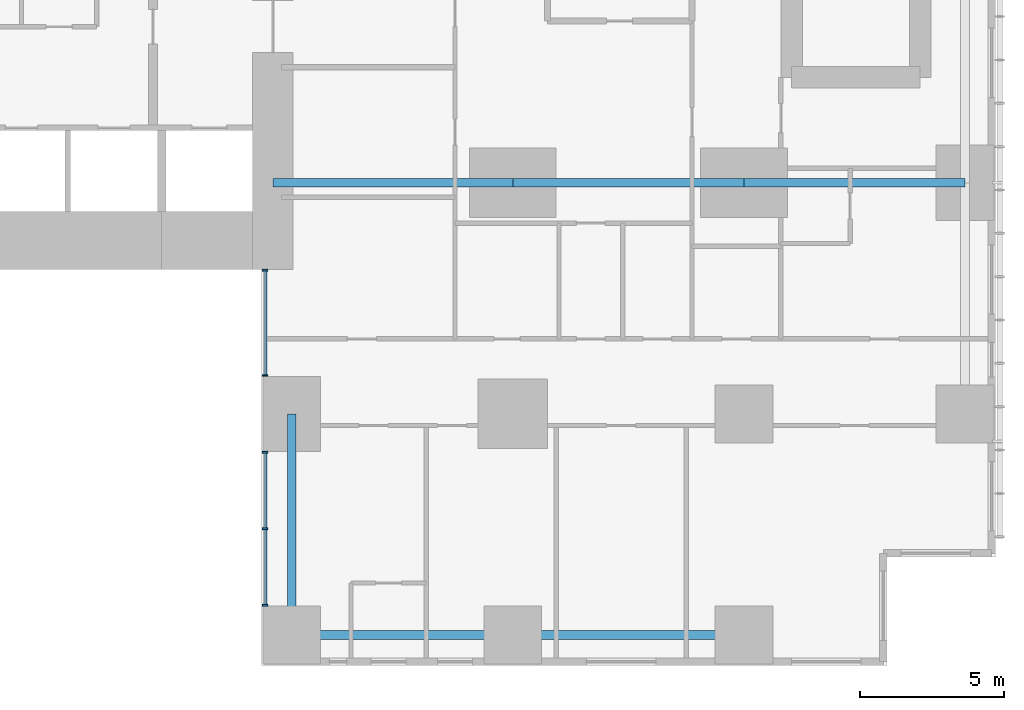
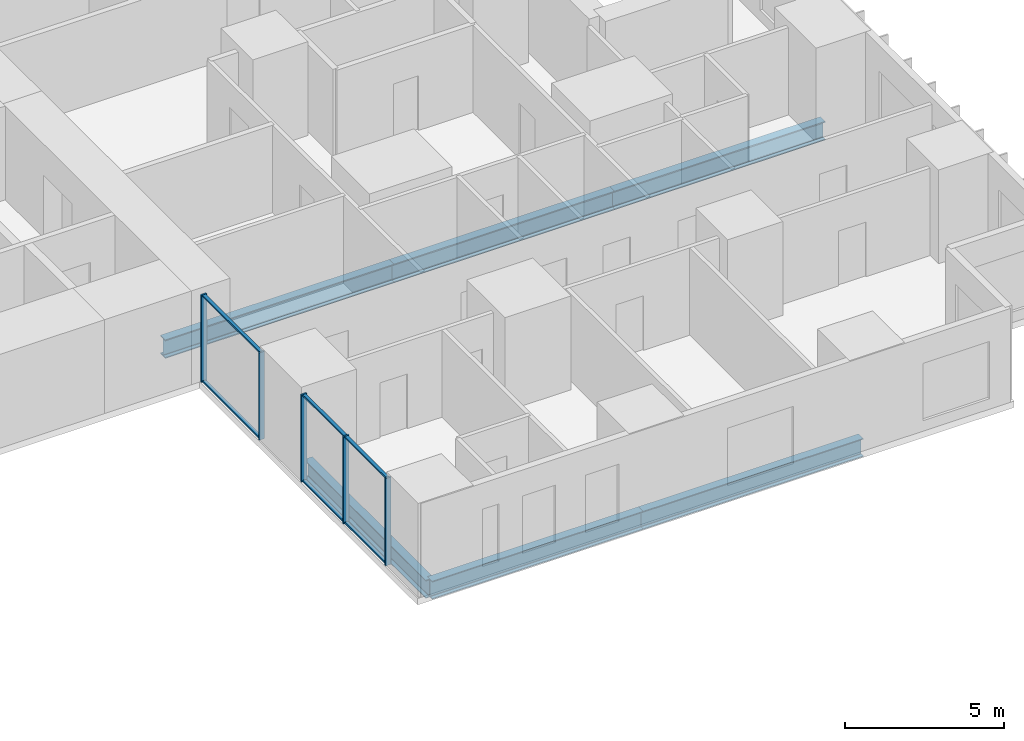
# One storey, part 3 of 20: 11 members, 6 beams, 2 elements without a shape of their own.
"""IFC4 building model written with IfcOpenShell, lengths in metres."""

from ifc_helpers import new_model, si_unit, direction, frame, origin, origin_2d, place, context, subcontext, project, spatial, rectangle, i_section, extrude, material, layer, layer_set, material_profile, profile_set, type_object, element, aggregate, save


model = new_model("IFC4")

# Units and contexts
model_context = context("Model", 3, precision=1e-05, world=origin(), true_north=direction((0.0, 1.0)))
body_context = subcontext(model_context, "Body", "Model", "MODEL_VIEW")
ifc_project = project(units=[si_unit("LENGTHUNIT", "METRE"), si_unit("AREAUNIT", "SQUARE_METRE"), si_unit("VOLUMEUNIT", "CUBIC_METRE"), si_unit("PLANEANGLEUNIT", "RADIAN"), si_unit("MASSUNIT", "GRAM", prefix="KILO")], contexts=[model_context])

# Site, building, storey
site_placement = place(None, origin())
site = spatial("IfcSite", under=ifc_project, at=site_placement, CompositionType="ELEMENT")
building_placement = place(site_placement, origin())
building = spatial("IfcBuilding", under=site, at=building_placement, Name="Cleftline Residences", CompositionType="ELEMENT")
storey_placement = place(building_placement, frame((0.0, 0.0, 103.39990234375)))
storey = spatial("IfcBuildingStorey", under=building, at=storey_placement, Name="L26", CompositionType="ELEMENT", Elevation=103.39990234375)

# Beams
ifc_material_1 = material(Name="Steel S355", Category="steel")
ifc_material_profile_1 = material_profile(ifc_material_1, i_section(OverallWidth=0.300048828125, OverallDepth=0.699951171875, WebThickness=0.01708984375, FlangeThickness=0.031982421875, FilletRadius=0.027099609375, at=origin_2d()))
ifc_profile_set_1 = profile_set([ifc_material_profile_1], Name="Steel S355")
beam_type_1 = type_object("IfcBeamType", Name="BEAM HEB 700", PredefinedType="BEAM", material=ifc_profile_set_1)
beam_1_placement = place(storey_placement, frame((58.0, 0.35009765625, -0.599853515625), z_axis=(-1.0, 0.0, 0.0), x_axis=(0.0, -1.0, 0.0)))
element("IfcBeam", 1, at=beam_1_placement, inside=storey, type_object=beam_type_1, Name="Edge beam", PredefinedType="BEAM", context=body_context, shape_type="SweptSolid", body=[
    extrude(i_section(OverallWidth=0.300048828125, OverallDepth=0.699951171875, WebThickness=0.01708984375, FlangeThickness=0.031982421875, FilletRadius=0.027099609375, at=origin_2d()), origin(), (0.0, 0.0, 1.0), 8.0),
])
for number, where, z_axis, x_axis, name in (
    (2, (50.0, 0.35009765625, -0.599853515625), (-1.0, 0.0, 0.0), (0.0, -1.0, 0.0), "Edge beam"),
    (3, (42.35009765625, 0.35009765625, -0.599853515625), (0.0, 1.0, 0.0), (-1.0, 0.0, 0.0), "Edge beam"),
):
    element("IfcBeam", number, at=place(storey_placement, frame(where, z_axis=z_axis, x_axis=x_axis)), inside=storey, type_object=beam_type_1, Name=name, PredefinedType="BEAM", context=body_context, shape_type="SweptSolid", body=[
        extrude(i_section(OverallWidth=0.300048828125, OverallDepth=0.699951171875, WebThickness=0.01708984375, FlangeThickness=0.031982421875, FilletRadius=0.027099609375, at=origin_2d()), origin(), (0.0, 0.0, 1.0), 7.64990234375),
    ])
ifc_material_2 = material(Name="Steel S355", Category="steel")
ifc_material_profile_2 = material_profile(ifc_material_2, i_section(OverallWidth=0.303955078125, OverallDepth=0.716064453125, WebThickness=0.02099609375, FlangeThickness=0.0400390625, FilletRadius=0.027099609375, at=origin_2d()))
ifc_profile_set_2 = profile_set([ifc_material_profile_2], Name="Steel S355")
beam_type_2 = type_object("IfcBeamType", Name="BEAM HEM 700", PredefinedType="BEAM", material=ifc_profile_set_2)
beam_2_placement = place(storey_placement, frame((65.64990234375, 16.0, -0.60791015625), z_axis=(-1.0, 0.0, 0.0), x_axis=(0.0, -1.0, 0.0)))
element("IfcBeam", 4, at=beam_2_placement, inside=storey, type_object=beam_type_2, Name="Band beam", PredefinedType="BEAM", context=body_context, shape_type="SweptSolid", body=[
    extrude(i_section(OverallWidth=0.303955078125, OverallDepth=0.716064453125, WebThickness=0.02099609375, FlangeThickness=0.0400390625, FilletRadius=0.027099609375, at=origin_2d()), origin(), (0.0, 0.0, 1.0), 7.64990234375),
])
beam_3_placement = place(storey_placement, frame((58.0, 16.0, -0.60791015625), z_axis=(-1.0, 0.0, 0.0), x_axis=(0.0, -1.0, 0.0)))
element("IfcBeam", 5, at=beam_3_placement, inside=storey, type_object=beam_type_2, Name="Band beam", PredefinedType="BEAM", context=body_context, shape_type="SweptSolid", body=[
    extrude(i_section(OverallWidth=0.303955078125, OverallDepth=0.716064453125, WebThickness=0.02099609375, FlangeThickness=0.0400390625, FilletRadius=0.027099609375, at=origin_2d()), origin(), (0.0, 0.0, 1.0), 8.0),
])
beam_4_placement = place(storey_placement, frame((50.0, 16.0, -0.60791015625), z_axis=(-1.0, 0.0, 0.0), x_axis=(0.0, -1.0, 0.0)))
element("IfcBeam", 6, at=beam_4_placement, inside=storey, type_object=beam_type_2, Name="Band beam", PredefinedType="BEAM", context=body_context, shape_type="SweptSolid", body=[
    extrude(i_section(OverallWidth=0.303955078125, OverallDepth=0.716064453125, WebThickness=0.02099609375, FlangeThickness=0.0400390625, FilletRadius=0.027099609375, at=origin_2d()), origin(), (0.0, 0.0, 1.0), 8.300048828125),
])

# Curtain wall, members
ifc_material_3 = material(Name="Aluminium framed curtain wall", Category="aluminium")
ifc_layer = layer(ifc_material_3, 0.199951171875)
ifc_layer_set = layer_set([ifc_layer], Name="CW1 CLEFT GLAZING")
curtain_wall_type = type_object("IfcCurtainWallType", Name="CW1 CLEFT GLAZING", PredefinedType="NOTDEFINED", material=ifc_layer_set)
curtain_wall_1_placement = place(storey_placement, origin())
curtain_wall_1 = element("IfcCurtainWall", 7, at=curtain_wall_1_placement, inside=storey, type_object=curtain_wall_type, Name="Curtain wall CW1", PredefinedType="NOTDEFINED")
ifc_material_4 = material(Name="Aluminium mullion", Category="aluminium")
ifc_material_profile_3 = material_profile(ifc_material_4, rectangle(XDim=0.199951171875, YDim=0.06005859375, at=origin_2d()))
ifc_profile_set_3 = profile_set([ifc_material_profile_3], Name="Aluminium mullion")
member_type_1 = type_object("IfcMemberType", Name="CW1 MULLION", PredefinedType="MULLION", material=ifc_profile_set_3)
member_1_placement = place(storey_placement, frame((41.425048828125, 12.969970703125, 0.0), z_axis=(0.0, 0.0, 1.0), x_axis=(1.0, 0.0, 0.0)))
member_1 = element("IfcMember", 8, at=member_1_placement, type_object=member_type_1, Name="CW1 mullion 1", PredefinedType="MULLION", context=body_context, shape_type="SweptSolid", body=[
    extrude(rectangle(XDim=0.199951171875, YDim=0.06005859375, at=origin_2d()), origin(), (0.0, 0.0, 1.0), 3.35009765625),
])
member_2_placement = place(storey_placement, frame((41.425048828125, 9.330078125, 0.0), z_axis=(0.0, 0.0, 1.0), x_axis=(1.0, 0.0, 0.0)))
member_2 = element("IfcMember", 9, at=member_2_placement, type_object=member_type_1, Name="CW1 mullion 2", PredefinedType="MULLION", context=body_context, shape_type="SweptSolid", body=[
    extrude(rectangle(XDim=0.199951171875, YDim=0.06005859375, at=origin_2d()), origin(), (0.0, 0.0, 1.0), 3.35009765625),
])

curtain_wall_2_placement = place(storey_placement, origin())
curtain_wall_2 = element("IfcCurtainWall", 10, at=curtain_wall_2_placement, inside=storey, type_object=curtain_wall_type, Name="Curtain wall CW1", PredefinedType="NOTDEFINED")
member_3_placement = place(storey_placement, frame((41.425048828125, 6.669921875, 0.0), z_axis=(0.0, 0.0, 1.0), x_axis=(1.0, 0.0, 0.0)))
member_3 = element("IfcMember", 11, at=member_3_placement, type_object=member_type_1, Name="CW1 mullion 1", PredefinedType="MULLION", context=body_context, shape_type="SweptSolid", body=[
    extrude(rectangle(XDim=0.199951171875, YDim=0.06005859375, at=origin_2d()), origin(), (0.0, 0.0, 1.0), 3.35009765625),
])
member_4_placement = place(storey_placement, frame((41.425048828125, 4.02490234375, 0.0), z_axis=(0.0, 0.0, 1.0), x_axis=(1.0, 0.0, 0.0)))
member_4 = element("IfcMember", 12, at=member_4_placement, type_object=member_type_1, Name="CW1 mullion 2", PredefinedType="MULLION", context=body_context, shape_type="SweptSolid", body=[
    extrude(rectangle(XDim=0.199951171875, YDim=0.06005859375, at=origin_2d()), origin(), (0.0, 0.0, 1.0), 3.35009765625),
])
member_5_placement = place(storey_placement, frame((41.425048828125, 1.3798828125, 0.0), z_axis=(0.0, 0.0, 1.0), x_axis=(1.0, 0.0, 0.0)))
member_5 = element("IfcMember", 13, at=member_5_placement, type_object=member_type_1, Name="CW1 mullion 3", PredefinedType="MULLION", context=body_context, shape_type="SweptSolid", body=[
    extrude(rectangle(XDim=0.199951171875, YDim=0.06005859375, at=origin_2d()), origin(), (0.0, 0.0, 1.0), 3.35009765625),
])

# Member
ifc_material_5 = material(Name="Aluminium transom", Category="aluminium")
ifc_material_profile_4 = material_profile(ifc_material_5, rectangle(XDim=0.1201171875, YDim=0.06005859375, at=origin_2d()))
ifc_profile_set_4 = profile_set([ifc_material_profile_4], Name="Aluminium transom")
member_type_2 = type_object("IfcMemberType", Name="CW1 TRANSOM", PredefinedType="USERDEFINED", material=ifc_profile_set_4)
member_6_placement = place(storey_placement, frame((41.425048828125, 12.93994140625, 0.030029296875), z_axis=(0.0, -1.0, 0.0), x_axis=(1.0, 0.0, 0.0)))
member_6 = element("IfcMember", 14, at=member_6_placement, type_object=member_type_2, Name="CW1 transom 1.1", ObjectType="TRANSOM", PredefinedType="USERDEFINED", context=body_context, shape_type="SweptSolid", body=[
    extrude(rectangle(XDim=0.1201171875, YDim=0.06005859375, at=origin_2d()), origin(), (0.0, 0.0, 1.0), 3.579833984375),
])

member_7_placement = place(storey_placement, frame((41.425048828125, 12.93994140625, 3.320068359375), z_axis=(0.0, -1.0, 0.0), x_axis=(1.0, 0.0, 0.0)))
member_7 = element("IfcMember", 15, at=member_7_placement, type_object=member_type_2, Name="CW1 transom 1.2", ObjectType="TRANSOM", PredefinedType="USERDEFINED", context=body_context, shape_type="SweptSolid", body=[
    extrude(rectangle(XDim=0.1201171875, YDim=0.06005859375, at=origin_2d()), origin(), (0.0, 0.0, 1.0), 3.579833984375),
])

aggregate(curtain_wall_1, [member_1, member_2, member_6, member_7])

member_8_placement = place(storey_placement, frame((41.425048828125, 6.639892578125, 0.030029296875), z_axis=(0.0, -1.0, 0.0), x_axis=(1.0, 0.0, 0.0)))
member_8 = element("IfcMember", 16, at=member_8_placement, type_object=member_type_2, Name="CW1 transom 1.1", ObjectType="TRANSOM", PredefinedType="USERDEFINED", context=body_context, shape_type="SweptSolid", body=[
    extrude(rectangle(XDim=0.1201171875, YDim=0.06005859375, at=origin_2d()), origin(), (0.0, 0.0, 1.0), 2.5849609375),
])

member_9_placement = place(storey_placement, frame((41.425048828125, 6.639892578125, 3.320068359375), z_axis=(0.0, -1.0, 0.0), x_axis=(1.0, 0.0, 0.0)))
member_9 = element("IfcMember", 17, at=member_9_placement, type_object=member_type_2, Name="CW1 transom 1.2", ObjectType="TRANSOM", PredefinedType="USERDEFINED", context=body_context, shape_type="SweptSolid", body=[
    extrude(rectangle(XDim=0.1201171875, YDim=0.06005859375, at=origin_2d()), origin(), (0.0, 0.0, 1.0), 2.5849609375),
])

member_10_placement = place(storey_placement, frame((41.425048828125, 3.9951171875, 0.030029296875), z_axis=(0.0, -1.0, 0.0), x_axis=(1.0, 0.0, 0.0)))
member_10 = element("IfcMember", 18, at=member_10_placement, type_object=member_type_2, Name="CW1 transom 2.1", ObjectType="TRANSOM", PredefinedType="USERDEFINED", context=body_context, shape_type="SweptSolid", body=[
    extrude(rectangle(XDim=0.1201171875, YDim=0.06005859375, at=origin_2d()), origin(), (0.0, 0.0, 1.0), 2.585205078125),
])

member_11_placement = place(storey_placement, frame((41.425048828125, 3.9951171875, 3.320068359375), z_axis=(0.0, -1.0, 0.0), x_axis=(1.0, 0.0, 0.0)))
member_11 = element("IfcMember", 19, at=member_11_placement, type_object=member_type_2, Name="CW1 transom 2.2", ObjectType="TRANSOM", PredefinedType="USERDEFINED", context=body_context, shape_type="SweptSolid", body=[
    extrude(rectangle(XDim=0.1201171875, YDim=0.06005859375, at=origin_2d()), origin(), (0.0, 0.0, 1.0), 2.585205078125),
])

aggregate(curtain_wall_2, [member_3, member_4, member_5, member_8, member_9, member_10, member_11])

save(model, "model.ifc")
